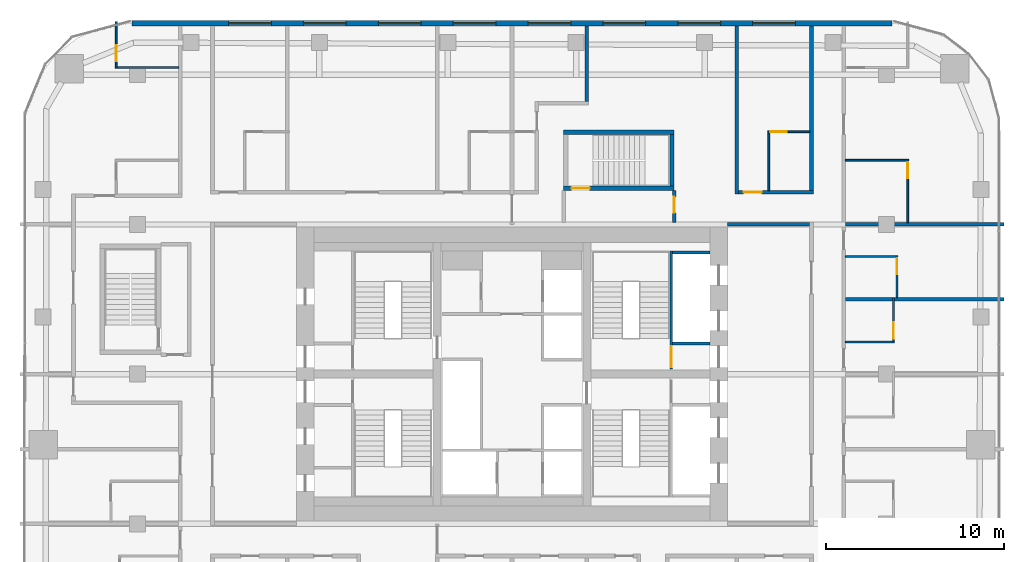
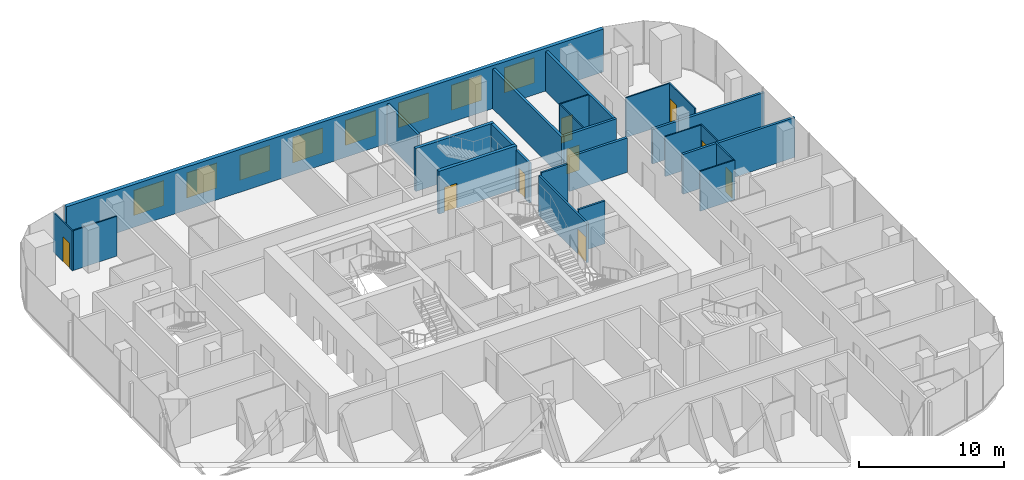
# One storey, part 20 of 23: 25 walls, 9 doors, 8 windows, 17 openings.
"""IFC4 building model written with IfcOpenShell, lengths in metres."""

from ifc_helpers import new_model, si_unit, direction, frame, frame_2d, origin, place, context, subcontext, project, spatial, rectangle, extrude, material, layer, layer_set, type_object, element, fill, save


model = new_model("IFC4")

# Units and contexts
model_context = context("Model", 3, precision=1e-05, world=origin(), true_north=direction((0.0, 1.0)))
body_context = subcontext(model_context, "Body", "Model", "MODEL_VIEW")
ifc_project = project(units=[si_unit("LENGTHUNIT", "METRE"), si_unit("AREAUNIT", "SQUARE_METRE"), si_unit("VOLUMEUNIT", "CUBIC_METRE"), si_unit("PLANEANGLEUNIT", "RADIAN"), si_unit("MASSUNIT", "GRAM", prefix="KILO")], contexts=[model_context])

# Site, building, storey
site_placement = place(None, origin())
site = spatial("IfcSite", under=ifc_project, at=site_placement, CompositionType="ELEMENT")
building_placement = place(site_placement, origin())
building = spatial("IfcBuilding", under=site, at=building_placement, Name="Marenta Gate Hotel Tower", CompositionType="ELEMENT")
storey_placement = place(building_placement, frame((0.0, 0.0, 140.89990234375)))
storey = spatial("IfcBuildingStorey", under=building, at=storey_placement, Name="L32", CompositionType="ELEMENT", Elevation=140.89990234375)

# Wall, openings, windows
ifc_material_1 = material(Name="Concrete C40 board-marked", Category="concrete")
ifc_layer_1 = layer(ifc_material_1, 0.300048828125)
ifc_layer_set_1 = layer_set([ifc_layer_1], Name="Concrete C40 board-marked")
wall_type_1 = type_object("IfcWallType", Name="Board-marked concrete wall 300 mm", PredefinedType="NOTDEFINED", material=ifc_layer_set_1)
wall_1_placement = place(storey_placement, frame((21.305908203125, 28.090087890625, 0.0), z_axis=(0.0, 0.0, 1.0), x_axis=(-1.0, 0.0, 0.0)))
wall_1 = element("IfcWall", 1, at=wall_1_placement, inside=storey, type_object=wall_type_1, Name="L32-CLD-N00", PredefinedType="NOTDEFINED", context=body_context, shape_type="SweptSolid", body=[
    extrude(rectangle(XDim=42.61181640625, YDim=0.300048828125, at=frame_2d((21.305908203125, 0.0))), origin(), (0.0, 0.0, 1.0), 3.60009765625),
])
opening_1_placement = place(wall_1_placement, frame((5.406005859375, 0.0, 0.89990234375)))
opening_1 = element("IfcOpeningElement", 2, at=opening_1_placement, cuts=wall_1, Name="Opening W1", PredefinedType="OPENING", context=body_context, shape_type="SweptSolid", body=[
    extrude(rectangle(XDim=2.39990234375, YDim=2.10009765625, at=frame_2d((1.199951171875, 1.050048828125))), frame((0.0, 0.14990234375, 0.0), z_axis=(0.0, -1.0, 0.0), x_axis=(1.0, 0.0, 0.0)), (0.0, 0.0, 1.0), 0.300048828125),
])
opening_2_placement = place(wall_1_placement, frame((9.60595703125, 0.0, 0.89990234375)))
opening_2 = element("IfcOpeningElement", 3, at=opening_2_placement, cuts=wall_1, Name="Opening W1", PredefinedType="OPENING", context=body_context, shape_type="SweptSolid", body=[
    extrude(rectangle(XDim=2.39990234375, YDim=2.10009765625, at=frame_2d((1.199951171875, 1.050048828125))), frame((0.0, 0.14990234375, 0.0), z_axis=(0.0, -1.0, 0.0), x_axis=(1.0, 0.0, 0.0)), (0.0, 0.0, 1.0), 0.300048828125),
])
opening_3_placement = place(wall_1_placement, frame((13.805908203125, 0.0, 0.89990234375)))
opening_3 = element("IfcOpeningElement", 4, at=opening_3_placement, cuts=wall_1, Name="Opening W1", PredefinedType="OPENING", context=body_context, shape_type="SweptSolid", body=[
    extrude(rectangle(XDim=2.39990234375, YDim=2.10009765625, at=frame_2d((1.199951171875, 1.050048828125))), frame((0.0, 0.14990234375, 0.0), z_axis=(0.0, -1.0, 0.0), x_axis=(1.0, 0.0, 0.0)), (0.0, 0.0, 1.0), 0.300048828125),
])
opening_4_placement = place(wall_1_placement, frame((18.005859375, 0.0, 0.89990234375)))
opening_4 = element("IfcOpeningElement", 5, at=opening_4_placement, cuts=wall_1, Name="Opening W1", PredefinedType="OPENING", context=body_context, shape_type="SweptSolid", body=[
    extrude(rectangle(XDim=2.39990234375, YDim=2.10009765625, at=frame_2d((1.199951171875, 1.050048828125))), frame((0.0, 0.14990234375, 0.0), z_axis=(0.0, -1.0, 0.0), x_axis=(1.0, 0.0, 0.0)), (0.0, 0.0, 1.0), 0.300048828125),
])
opening_5_placement = place(wall_1_placement, frame((22.205810546875, 0.0, 0.89990234375)))
opening_5 = element("IfcOpeningElement", 6, at=opening_5_placement, cuts=wall_1, Name="Opening W1", PredefinedType="OPENING", context=body_context, shape_type="SweptSolid", body=[
    extrude(rectangle(XDim=2.39990234375, YDim=2.10009765625, at=frame_2d((1.199951171875, 1.050048828125))), frame((0.0, 0.14990234375, 0.0), z_axis=(0.0, -1.0, 0.0), x_axis=(1.0, 0.0, 0.0)), (0.0, 0.0, 1.0), 0.300048828125),
])
opening_6_placement = place(wall_1_placement, frame((26.406005859375, 0.0, 0.89990234375)))
opening_6 = element("IfcOpeningElement", 7, at=opening_6_placement, cuts=wall_1, Name="Opening W1", PredefinedType="OPENING", context=body_context, shape_type="SweptSolid", body=[
    extrude(rectangle(XDim=2.39990234375, YDim=2.10009765625, at=frame_2d((1.199951171875, 1.050048828125))), frame((0.0, 0.14990234375, 0.0), z_axis=(0.0, -1.0, 0.0), x_axis=(1.0, 0.0, 0.0)), (0.0, 0.0, 1.0), 0.300048828125),
])
opening_7_placement = place(wall_1_placement, frame((30.60595703125, 0.0, 0.89990234375)))
opening_7 = element("IfcOpeningElement", 8, at=opening_7_placement, cuts=wall_1, Name="Opening W1", PredefinedType="OPENING", context=body_context, shape_type="SweptSolid", body=[
    extrude(rectangle(XDim=2.39990234375, YDim=2.10009765625, at=frame_2d((1.199951171875, 1.050048828125))), frame((0.0, 0.14990234375, 0.0), z_axis=(0.0, -1.0, 0.0), x_axis=(1.0, 0.0, 0.0)), (0.0, 0.0, 1.0), 0.300048828125),
])
opening_8_placement = place(wall_1_placement, frame((34.805908203125, 0.0, 0.89990234375)))
opening_8 = element("IfcOpeningElement", 9, at=opening_8_placement, cuts=wall_1, Name="Opening W1", PredefinedType="OPENING", context=body_context, shape_type="SweptSolid", body=[
    extrude(rectangle(XDim=2.39990234375, YDim=2.10009765625, at=frame_2d((1.199951171875, 1.050048828125))), frame((0.0, 0.14990234375, 0.0), z_axis=(0.0, -1.0, 0.0), x_axis=(1.0, 0.0, 0.0)), (0.0, 0.0, 1.0), 0.300048828125),
])
ifc_material_2 = material(Name="Tinted insulated glass in bronze anodised frame", Category="glass")
window_type = type_object("IfcWindowType", Name="Window W1 2400x2100 bronze frame", PartitioningType="SINGLE_PANEL", PredefinedType="WINDOW", material=ifc_material_2)
window_1_placement = place(opening_1_placement, origin())
window_1 = element("IfcWindow", 10, at=window_1_placement, inside=storey, type_object=window_type, Name="Window W1", OverallHeight=2.10009765625, OverallWidth=2.39990234375, PartitioningType="SINGLE_PANEL", PredefinedType="WINDOW", context=body_context, shape_type="SweptSolid", body=[
    extrude(rectangle(XDim=2.39990234375, YDim=2.10009765625, at=frame_2d((1.199951171875, 1.050048828125))), frame((0.0, 0.030029296875, 0.0), z_axis=(0.0, -1.0, 0.0), x_axis=(1.0, 0.0, 0.0)), (0.0, 0.0, 1.0), 0.06005859375),
])
fill(opening_1, window_1)
window_2_placement = place(opening_2_placement, origin())
window_2 = element("IfcWindow", 11, at=window_2_placement, inside=storey, type_object=window_type, Name="Window W1", OverallHeight=2.10009765625, OverallWidth=2.39990234375, PartitioningType="SINGLE_PANEL", PredefinedType="WINDOW", context=body_context, shape_type="SweptSolid", body=[
    extrude(rectangle(XDim=2.39990234375, YDim=2.10009765625, at=frame_2d((1.199951171875, 1.050048828125))), frame((0.0, 0.030029296875, 0.0), z_axis=(0.0, -1.0, 0.0), x_axis=(1.0, 0.0, 0.0)), (0.0, 0.0, 1.0), 0.06005859375),
])
fill(opening_2, window_2)
window_3_placement = place(opening_3_placement, origin())
window_3 = element("IfcWindow", 12, at=window_3_placement, inside=storey, type_object=window_type, Name="Window W1", OverallHeight=2.10009765625, OverallWidth=2.39990234375, PartitioningType="SINGLE_PANEL", PredefinedType="WINDOW", context=body_context, shape_type="SweptSolid", body=[
    extrude(rectangle(XDim=2.39990234375, YDim=2.10009765625, at=frame_2d((1.199951171875, 1.050048828125))), frame((0.0, 0.030029296875, 0.0), z_axis=(0.0, -1.0, 0.0), x_axis=(1.0, 0.0, 0.0)), (0.0, 0.0, 1.0), 0.06005859375),
])
fill(opening_3, window_3)
window_4_placement = place(opening_4_placement, origin())
window_4 = element("IfcWindow", 13, at=window_4_placement, inside=storey, type_object=window_type, Name="Window W1", OverallHeight=2.10009765625, OverallWidth=2.39990234375, PartitioningType="SINGLE_PANEL", PredefinedType="WINDOW", context=body_context, shape_type="SweptSolid", body=[
    extrude(rectangle(XDim=2.39990234375, YDim=2.10009765625, at=frame_2d((1.199951171875, 1.050048828125))), frame((0.0, 0.030029296875, 0.0), z_axis=(0.0, -1.0, 0.0), x_axis=(1.0, 0.0, 0.0)), (0.0, 0.0, 1.0), 0.06005859375),
])
fill(opening_4, window_4)
window_5_placement = place(opening_5_placement, origin())
window_5 = element("IfcWindow", 14, at=window_5_placement, inside=storey, type_object=window_type, Name="Window W1", OverallHeight=2.10009765625, OverallWidth=2.39990234375, PartitioningType="SINGLE_PANEL", PredefinedType="WINDOW", context=body_context, shape_type="SweptSolid", body=[
    extrude(rectangle(XDim=2.39990234375, YDim=2.10009765625, at=frame_2d((1.199951171875, 1.050048828125))), frame((0.0, 0.030029296875, 0.0), z_axis=(0.0, -1.0, 0.0), x_axis=(1.0, 0.0, 0.0)), (0.0, 0.0, 1.0), 0.06005859375),
])
fill(opening_5, window_5)
window_6_placement = place(opening_6_placement, origin())
window_6 = element("IfcWindow", 15, at=window_6_placement, inside=storey, type_object=window_type, Name="Window W1", OverallHeight=2.10009765625, OverallWidth=2.39990234375, PartitioningType="SINGLE_PANEL", PredefinedType="WINDOW", context=body_context, shape_type="SweptSolid", body=[
    extrude(rectangle(XDim=2.39990234375, YDim=2.10009765625, at=frame_2d((1.199951171875, 1.050048828125))), frame((0.0, 0.030029296875, 0.0), z_axis=(0.0, -1.0, 0.0), x_axis=(1.0, 0.0, 0.0)), (0.0, 0.0, 1.0), 0.06005859375),
])
fill(opening_6, window_6)
window_7_placement = place(opening_7_placement, origin())
window_7 = element("IfcWindow", 16, at=window_7_placement, inside=storey, type_object=window_type, Name="Window W1", OverallHeight=2.10009765625, OverallWidth=2.39990234375, PartitioningType="SINGLE_PANEL", PredefinedType="WINDOW", context=body_context, shape_type="SweptSolid", body=[
    extrude(rectangle(XDim=2.39990234375, YDim=2.10009765625, at=frame_2d((1.199951171875, 1.050048828125))), frame((0.0, 0.030029296875, 0.0), z_axis=(0.0, -1.0, 0.0), x_axis=(1.0, 0.0, 0.0)), (0.0, 0.0, 1.0), 0.06005859375),
])
fill(opening_7, window_7)
window_8_placement = place(opening_8_placement, origin())
window_8 = element("IfcWindow", 17, at=window_8_placement, inside=storey, type_object=window_type, Name="Window W1", OverallHeight=2.10009765625, OverallWidth=2.39990234375, PartitioningType="SINGLE_PANEL", PredefinedType="WINDOW", context=body_context, shape_type="SweptSolid", body=[
    extrude(rectangle(XDim=2.39990234375, YDim=2.10009765625, at=frame_2d((1.199951171875, 1.050048828125))), frame((0.0, 0.030029296875, 0.0), z_axis=(0.0, -1.0, 0.0), x_axis=(1.0, 0.0, 0.0)), (0.0, 0.0, 1.0), 0.06005859375),
])
fill(opening_8, window_8)

# Walls
ifc_material_3 = material(Name="Concrete blockwork", Category="masonry")
ifc_layer_2 = layer(ifc_material_3, 0.199951171875)
ifc_layer_set_2 = layer_set([ifc_layer_2], Name="Concrete blockwork")
wall_type_2 = type_object("IfcWallType", Name="Core boundary wall 200 REI 180", PredefinedType="PARTITIONING", material=ifc_layer_set_2)
wall_2_placement = place(storey_placement, frame((12.10009765625, 16.800048828125, 0.0), z_axis=(0.0, 0.0, 1.0), x_axis=(1.0, 0.0, 0.0)))
element("IfcWall", 18, at=wall_2_placement, inside=storey, type_object=wall_type_2, Name="L32-CP-EW-EN", PredefinedType="PARTITIONING", context=body_context, shape_type="SweptSolid", body=[
    extrude(rectangle(XDim=4.599853515625, YDim=0.199951171875, at=frame_2d((2.2998046875, 0.0))), origin(), (0.0, 0.0, 1.0), 2.89013671875),
])
ifc_material_4 = material(Name="Concrete C40", Category="concrete")
ifc_layer_3 = layer(ifc_material_4, 0.14990234375)
ifc_layer_set_3 = layer_set([ifc_layer_3], Name="Concrete C40")
wall_type_3 = type_object("IfcWallType", Name="Core shaft wall 150 REI 180", PredefinedType="SHEAR", material=ifc_layer_set_3)
for number, where, z_axis, x_axis, name in (
    (19, (9.0, 10.125, 0.0), (0.0, 0.0, 1.0), (1.0, 0.0, 0.0), "L32-SHF-SW-EN-2"),
    (20, (9.0, 15.22509765625, 0.0), (0.0, 0.0, 1.0), (1.0, 0.0, 0.0), "L32-SHF-SW-EN-5"),
):
    element("IfcWall", number, at=place(storey_placement, frame(where, z_axis=z_axis, x_axis=x_axis)), inside=storey, type_object=wall_type_3, Name=name, PredefinedType="SHEAR", context=body_context, shape_type="SweptSolid", body=[
        extrude(rectangle(XDim=2.10009765625, YDim=0.14990234375, at=frame_2d((1.050048828125, 0.0))), origin(), (0.0, 0.0, 1.0), 3.60009765625),
    ])

# Wall, opening, door
ifc_material_5 = material(Name="Concrete C40", Category="concrete")
ifc_layer_4 = layer(ifc_material_5, 0.14990234375)
ifc_layer_set_4 = layer_set([ifc_layer_4], Name="Concrete C40")
wall_type_4 = type_object("IfcWallType", Name="Core stair enclosure wall 150 REI 180", PredefinedType="SHEAR", material=ifc_layer_set_4)
wall_3_placement = place(storey_placement, frame((8.925048828125, 8.699951171875, 0.0), z_axis=(0.0, 0.0, 1.0), x_axis=(0.0, 1.0, 0.0)))
wall_3 = element("IfcWall", 21, at=wall_3_placement, inside=storey, type_object=wall_type_4, Name="L32-SHF-SW-EN-3", PredefinedType="SHEAR", context=body_context, shape_type="SweptSolid", body=[
    extrude(rectangle(XDim=6.60009765625, YDim=0.14990234375, at=frame_2d((3.300048828125, 0.0))), origin(), (0.0, 0.0, 1.0), 3.340087890625),
])
opening_9_placement = place(wall_3_placement, frame((0.074951171875, 0.0, 0.0)))
opening_9 = element("IfcOpeningElement", 22, at=opening_9_placement, cuts=wall_3, Name="Opening SD-EN", PredefinedType="OPENING", context=body_context, shape_type="SweptSolid", body=[
    extrude(rectangle(XDim=1.199951171875, YDim=2.10009765625, at=frame_2d((0.60009765625, 1.050048828125))), frame((0.0, 0.074951171875, 0.0), z_axis=(0.0, -1.0, 0.0), x_axis=(1.0, 0.0, 0.0)), (0.0, 0.0, 1.0), 0.14990234375),
])
ifc_material_6 = material(Name="Steel", Category="steel")
door_type_1 = type_object("IfcDoorType", Name="Core stair door 1200x2100 FD60", OperationType="SINGLE_SWING_LEFT", PredefinedType="DOOR", material=ifc_material_6)
door_1_placement = place(opening_9_placement, origin())
door_1 = element("IfcDoor", 23, at=door_1_placement, inside=storey, type_object=door_type_1, Name="SD-EN", OperationType="SINGLE_SWING_LEFT", OverallHeight=2.10009765625, OverallWidth=1.199951171875, PredefinedType="DOOR", context=body_context, shape_type="SweptSolid", body=[
    extrude(rectangle(XDim=1.199951171875, YDim=2.10009765625, at=frame_2d((0.60009765625, 1.050048828125))), frame((0.0, 0.02490234375, 0.0), z_axis=(0.0, -1.0, 0.0), x_axis=(1.0, 0.0, 0.0)), (0.0, 0.0, 1.0), 0.050048828125),
])
fill(opening_9, door_1)

ifc_material_7 = material(Name="Concrete C40", Category="concrete")
ifc_layer_5 = layer(ifc_material_7, 0.25)
ifc_layer_set_5 = layer_set([ifc_layer_5], Name="Concrete C40")
wall_type_5 = type_object("IfcWallType", Name="Remote stair enclosure wall 250 REI 180", PredefinedType="SHEAR", material=ifc_layer_set_5)
wall_4_placement = place(storey_placement, frame((2.89990234375, 18.824951171875, 0.10009765625), z_axis=(0.0, 0.0, 1.0), x_axis=(1.0, 0.0, 0.0)))
wall_4 = element("IfcWall", 24, at=wall_4_placement, inside=storey, type_object=wall_type_5, Name="L32-RS-Z2-4-W1", PredefinedType="SHEAR", context=body_context, shape_type="SweptSolid", body=[
    extrude(rectangle(XDim=6.2001953125, YDim=0.25, at=frame_2d((3.10009765625, 0.0))), origin(), (0.0, 0.0, 1.0), 3.60009765625),
])
opening_10_placement = place(wall_4_placement, frame((0.449951171875, 0.0, 0.0)))
opening_10 = element("IfcOpeningElement", 25, at=opening_10_placement, cuts=wall_4, Name="Opening VD", PredefinedType="OPENING", context=body_context, shape_type="SweptSolid", body=[
    extrude(rectangle(XDim=1.0, YDim=2.10009765625, at=frame_2d((0.5, 1.050048828125))), frame((0.0, 0.125, 0.0), z_axis=(0.0, -1.0, 0.0), x_axis=(1.0, 0.0, 0.0)), (0.0, 0.0, 1.0), 0.25),
])
ifc_material_8 = material(Name="Steel", Category="steel")
door_type_2 = type_object("IfcDoorType", Name="Stair vestibule door 1000x2100 FD60", OperationType="SINGLE_SWING_LEFT", PredefinedType="DOOR", material=ifc_material_8)
door_2_placement = place(opening_10_placement, origin())
door_2 = element("IfcDoor", 26, at=door_2_placement, inside=storey, type_object=door_type_2, Name="VD", OperationType="SINGLE_SWING_LEFT", OverallHeight=2.10009765625, OverallWidth=1.0, PredefinedType="DOOR", context=body_context, shape_type="SweptSolid", body=[
    extrude(rectangle(XDim=1.0, YDim=2.10009765625, at=frame_2d((0.5, 1.050048828125))), frame((0.0, 0.02490234375, 0.0), z_axis=(0.0, -1.0, 0.0), x_axis=(1.0, 0.0, 0.0)), (0.0, 0.0, 1.0), 0.050048828125),
])
fill(opening_10, door_2)

# Walls
wall_5_placement = place(storey_placement, frame((2.89990234375, 21.97509765625, 0.10009765625), z_axis=(0.0, 0.0, 1.0), x_axis=(1.0, 0.0, 0.0)))
element("IfcWall", 27, at=wall_5_placement, inside=storey, type_object=wall_type_5, Name="L32-RS-Z2-4-W2", PredefinedType="SHEAR", context=body_context, shape_type="SweptSolid", body=[
    extrude(rectangle(XDim=6.2001953125, YDim=0.25, at=frame_2d((3.10009765625, 0.0))), origin(), (0.0, 0.0, 1.0), 3.60009765625),
])
wall_6_placement = place(storey_placement, frame((8.97509765625, 18.949951171875, 0.10009765625), z_axis=(0.0, 0.0, 1.0), x_axis=(0.0, 1.0, 0.0)))
element("IfcWall", 28, at=wall_6_placement, inside=storey, type_object=wall_type_5, Name="L32-RS-Z2-4-W4", PredefinedType="SHEAR", context=body_context, shape_type="SweptSolid", body=[
    extrude(rectangle(XDim=2.900146484375, YDim=0.25, at=frame_2d((1.4501953125, 0.0))), origin(), (0.0, 0.0, 1.0), 3.60009765625),
])
ifc_material_9 = material(Name="Gypsum board on steel stud", Category="steel")
ifc_layer_6 = layer(ifc_material_9, 0.199951171875)
ifc_layer_set_6 = layer_set([ifc_layer_6], Name="Gypsum board on steel stud")
wall_type_6 = type_object("IfcWallType", Name="Room corridor wall 200 EI 60", PredefinedType="PARTITIONING", material=ifc_layer_set_6)
wall_7_placement = place(storey_placement, frame((16.800048828125, 18.699951171875, 0.0), z_axis=(0.0, 0.0, 1.0), x_axis=(0.0, 1.0, 0.0)))
element("IfcWall", 29, at=wall_7_placement, inside=storey, type_object=wall_type_6, Name="L32-PTN-W019", PredefinedType="PARTITIONING", context=body_context, shape_type="SweptSolid", body=[
    extrude(rectangle(XDim=9.239990234375, YDim=0.199951171875, at=frame_2d((4.6201171875, 0.0))), origin(), (0.0, 0.0, 1.0), 3.340087890625),
])
wall_8_placement = place(storey_placement, frame((12.60009765625, 18.5, 0.0), z_axis=(0.0, 0.0, 1.0), x_axis=(0.0, 1.0, 0.0)))
element("IfcWall", 30, at=wall_8_placement, inside=storey, type_object=wall_type_6, Name="L32-PTN-W035", PredefinedType="PARTITIONING", context=body_context, shape_type="SweptSolid", body=[
    extrude(rectangle(XDim=9.43994140625, YDim=0.199951171875, at=frame_2d((4.719970703125, 0.0))), origin(), (0.0, 0.0, 1.0), 3.340087890625),
])
wall_9_placement = place(storey_placement, frame((4.199951171875, 23.699951171875, 0.0), z_axis=(0.0, 0.0, 1.0), x_axis=(0.0, 1.0, 0.0)))
element("IfcWall", 31, at=wall_9_placement, inside=storey, type_object=wall_type_6, Name="L32-PTN-W062", PredefinedType="PARTITIONING", context=body_context, shape_type="SweptSolid", body=[
    extrude(rectangle(XDim=4.239990234375, YDim=0.199951171875, at=frame_2d((2.1201171875, 0.0))), origin(), (0.0, 0.0, 1.0), 3.340087890625),
])

# Wall, opening, door
wall_10_placement = place(storey_placement, frame((12.699951171875, 18.60009765625, 0.0), z_axis=(0.0, 0.0, 1.0), x_axis=(1.0, 0.0, 0.0)))
wall_10 = element("IfcWall", 32, at=wall_10_placement, inside=storey, type_object=wall_type_6, Name="L32-PTN-W113", PredefinedType="PARTITIONING", context=body_context, shape_type="SweptSolid", body=[
    extrude(rectangle(XDim=4.199951171875, YDim=0.199951171875, at=frame_2d((2.10009765625, 0.0))), origin(), (0.0, 0.0, 1.0), 3.340087890625),
])
opening_11_placement = place(wall_10_placement, frame((0.300048828125, 0.0, 0.0)))
opening_11 = element("IfcOpeningElement", 33, at=opening_11_placement, cuts=wall_10, Name="Opening G12-36", PredefinedType="OPENING", context=body_context, shape_type="SweptSolid", body=[
    extrude(rectangle(XDim=1.0, YDim=2.10009765625, at=frame_2d((0.5, 1.050048828125))), frame((0.0, 0.10009765625, 0.0), z_axis=(0.0, -1.0, 0.0), x_axis=(1.0, 0.0, 0.0)), (0.0, 0.0, 1.0), 0.199951171875),
])
ifc_material_10 = material(Name="Timber door leaf", Category="wood")
door_type_3 = type_object("IfcDoorType", Name="Guest room door 1000x2100 EI 30", OperationType="NOTDEFINED", PredefinedType="DOOR", material=ifc_material_10)
door_3_placement = place(opening_11_placement, origin())
door_3 = element("IfcDoor", 34, at=door_3_placement, inside=storey, type_object=door_type_3, Name="L32-PD-D036", OperationType="SINGLE_SWING_LEFT", OverallHeight=2.10009765625, OverallWidth=1.0, PredefinedType="DOOR", context=body_context, shape_type="SweptSolid", body=[
    extrude(rectangle(XDim=1.0, YDim=2.10009765625, at=frame_2d((0.5, 1.050048828125))), frame((0.0, 0.02490234375, 0.0), z_axis=(0.0, -1.0, 0.0), x_axis=(1.0, 0.0, 0.0)), (0.0, 0.0, 1.0), 0.050048828125),
])
fill(opening_11, door_3)

ifc_material_11 = material(Name="Concrete blockwork", Category="masonry")
ifc_layer_7 = layer(ifc_material_11, 0.199951171875)
ifc_layer_set_7 = layer_set([ifc_layer_7], Name="Concrete blockwork")
wall_type_7 = type_object("IfcWallType", Name="Room corridor wall 200 REI 180", PredefinedType="PARTITIONING", material=ifc_layer_set_7)
wall_11_placement = place(storey_placement, frame((9.10009765625, 16.89990234375, 0.0), z_axis=(0.0, 0.0, 1.0), x_axis=(0.0, 1.0, 0.0)))
wall_11 = element("IfcWall", 35, at=wall_11_placement, inside=storey, type_object=wall_type_7, Name="L32-PTN-W042", PredefinedType="PARTITIONING", context=body_context, shape_type="SweptSolid", body=[
    extrude(rectangle(XDim=1.800048828125, YDim=0.199951171875, at=frame_2d((0.89990234375, 0.0))), origin(), (0.0, 0.0, 1.0), 3.340087890625),
])
opening_12_placement = place(wall_11_placement, frame((0.550048828125, 0.0, 0.0)))
opening_12 = element("IfcOpeningElement", 36, at=opening_12_placement, cuts=wall_11, Name="Opening G12-68", PredefinedType="OPENING", context=body_context, shape_type="SweptSolid", body=[
    extrude(rectangle(XDim=0.89990234375, YDim=2.10009765625, at=frame_2d((0.449951171875, 1.050048828125))), frame((0.0, 0.10009765625, 0.0), z_axis=(0.0, -1.0, 0.0), x_axis=(1.0, 0.0, 0.0)), (0.0, 0.0, 1.0), 0.199951171875),
])
ifc_material_12 = material(Name="Hollow steel door set", Category="steel")
door_type_4 = type_object("IfcDoorType", Name="Stair vestibule door 900x2100 EI 60", OperationType="NOTDEFINED", PredefinedType="DOOR", material=ifc_material_12)
door_4_placement = place(opening_12_placement, origin())
door_4 = element("IfcDoor", 37, at=door_4_placement, inside=storey, type_object=door_type_4, Name="L32-PD-D068", OperationType="SINGLE_SWING_RIGHT", OverallHeight=2.10009765625, OverallWidth=0.89990234375, PredefinedType="DOOR", context=body_context, shape_type="SweptSolid", body=[
    extrude(rectangle(XDim=0.89990234375, YDim=2.10009765625, at=frame_2d((0.449951171875, 1.050048828125))), frame((0.0, 0.02490234375, 0.0), z_axis=(0.0, -1.0, 0.0), x_axis=(1.0, 0.0, 0.0)), (0.0, 0.0, 1.0), 0.050048828125),
])
fill(opening_12, door_4)

ifc_material_13 = material(Name="Gypsum board on steel stud", Category="steel")
ifc_layer_8 = layer(ifc_material_13, 0.10009765625)
ifc_layer_set_8 = layer_set([ifc_layer_8], Name="Gypsum board on steel stud")
wall_type_8 = type_object("IfcWallType", Name="Room partition 100", PredefinedType="PARTITIONING", material=ifc_layer_set_8)
wall_12_placement = place(storey_placement, frame((22.199951171875, 16.89990234375, 0.0), z_axis=(0.0, 0.0, 1.0), x_axis=(0.0, 1.0, 0.0)))
wall_12 = element("IfcWall", 38, at=wall_12_placement, inside=storey, type_object=wall_type_8, Name="L32-PTN-W001", PredefinedType="PARTITIONING", context=body_context, shape_type="SweptSolid", body=[
    extrude(rectangle(XDim=3.550048828125, YDim=0.10009765625, at=frame_2d((1.77490234375, 0.0))), origin(), (0.0, 0.0, 1.0), 3.340087890625),
])
opening_13_placement = place(wall_12_placement, frame((2.5, 0.0, 0.0)))
opening_13 = element("IfcOpeningElement", 39, at=opening_13_placement, cuts=wall_12, Name="Opening G12-27", PredefinedType="OPENING", context=body_context, shape_type="SweptSolid", body=[
    extrude(rectangle(XDim=0.89990234375, YDim=2.10009765625, at=frame_2d((0.449951171875, 1.050048828125))), frame((0.0, 0.050048828125, 0.0), z_axis=(0.0, -1.0, 0.0), x_axis=(1.0, 0.0, 0.0)), (0.0, 0.0, 1.0), 0.10009765625),
])
ifc_material_14 = material(Name="Timber door leaf", Category="wood")
door_type_5 = type_object("IfcDoorType", Name="Guest bathroom door 900x2100", OperationType="NOTDEFINED", PredefinedType="DOOR", material=ifc_material_14)
door_5_placement = place(opening_13_placement, origin())
door_5 = element("IfcDoor", 40, at=door_5_placement, inside=storey, type_object=door_type_5, Name="L32-PD-D027", OperationType="SINGLE_SWING_RIGHT", OverallHeight=2.10009765625, OverallWidth=0.89990234375, PredefinedType="DOOR", context=body_context, shape_type="SweptSolid", body=[
    extrude(rectangle(XDim=0.89990234375, YDim=2.10009765625, at=frame_2d((0.449951171875, 1.050048828125))), frame((0.0, 0.02490234375, 0.0), z_axis=(0.0, -1.0, 0.0), x_axis=(1.0, 0.0, 0.0)), (0.0, 0.0, 1.0), 0.050048828125),
])
fill(opening_13, door_5)

wall_13_placement = place(storey_placement, frame((21.60009765625, 12.699951171875, 0.0), z_axis=(0.0, 0.0, 1.0), x_axis=(0.0, 1.0, 0.0)))
wall_13 = element("IfcWall", 41, at=wall_13_placement, inside=storey, type_object=wall_type_8, Name="L32-PTN-W007", PredefinedType="PARTITIONING", context=body_context, shape_type="SweptSolid", body=[
    extrude(rectangle(XDim=2.35009765625, YDim=0.10009765625, at=frame_2d((1.175048828125, 0.0))), origin(), (0.0, 0.0, 1.0), 3.340087890625),
])
opening_14_placement = place(wall_13_placement, frame((1.300048828125, 0.0, 0.0)))
opening_14 = element("IfcOpeningElement", 42, at=opening_14_placement, cuts=wall_13, Name="Opening G12-25", PredefinedType="OPENING", context=body_context, shape_type="SweptSolid", body=[
    extrude(rectangle(XDim=0.89990234375, YDim=2.10009765625, at=frame_2d((0.449951171875, 1.050048828125))), frame((0.0, 0.050048828125, 0.0), z_axis=(0.0, -1.0, 0.0), x_axis=(1.0, 0.0, 0.0)), (0.0, 0.0, 1.0), 0.10009765625),
])
door_6_placement = place(opening_14_placement, origin())
door_6 = element("IfcDoor", 43, at=door_6_placement, inside=storey, type_object=door_type_5, Name="L32-PD-D025", OperationType="SINGLE_SWING_RIGHT", OverallHeight=2.10009765625, OverallWidth=0.89990234375, PredefinedType="DOOR", context=body_context, shape_type="SweptSolid", body=[
    extrude(rectangle(XDim=0.89990234375, YDim=2.10009765625, at=frame_2d((0.449951171875, 1.050048828125))), frame((0.0, 0.02490234375, 0.0), z_axis=(0.0, -1.0, 0.0), x_axis=(1.0, 0.0, 0.0)), (0.0, 0.0, 1.0), 0.050048828125),
])
fill(opening_14, door_6)

wall_14_placement = place(storey_placement, frame((21.39990234375, 10.25, 0.0), z_axis=(0.0, 0.0, 1.0), x_axis=(0.0, 1.0, 0.0)))
wall_14 = element("IfcWall", 44, at=wall_14_placement, inside=storey, type_object=wall_type_8, Name="L32-PTN-W011", PredefinedType="PARTITIONING", context=body_context, shape_type="SweptSolid", body=[
    extrude(rectangle(XDim=2.449951171875, YDim=0.10009765625, at=frame_2d((1.22509765625, 0.0))), origin(), (0.0, 0.0, 1.0), 3.340087890625),
])
opening_15_placement = place(wall_14_placement, frame((0.14990234375, 0.0, 0.0)))
opening_15 = element("IfcOpeningElement", 45, at=opening_15_placement, cuts=wall_14, Name="Opening G12-23", PredefinedType="OPENING", context=body_context, shape_type="SweptSolid", body=[
    extrude(rectangle(XDim=0.89990234375, YDim=2.10009765625, at=frame_2d((0.449951171875, 1.050048828125))), frame((0.0, 0.050048828125, 0.0), z_axis=(0.0, -1.0, 0.0), x_axis=(1.0, 0.0, 0.0)), (0.0, 0.0, 1.0), 0.10009765625),
])
door_7_placement = place(opening_15_placement, origin())
door_7 = element("IfcDoor", 46, at=door_7_placement, inside=storey, type_object=door_type_5, Name="L32-PD-D023", OperationType="SINGLE_SWING_LEFT", OverallHeight=2.10009765625, OverallWidth=0.89990234375, PredefinedType="DOOR", context=body_context, shape_type="SweptSolid", body=[
    extrude(rectangle(XDim=0.89990234375, YDim=2.10009765625, at=frame_2d((0.449951171875, 1.050048828125))), frame((0.0, 0.02490234375, 0.0), z_axis=(0.0, -1.0, 0.0), x_axis=(1.0, 0.0, 0.0)), (0.0, 0.0, 1.0), 0.050048828125),
])
fill(opening_15, door_7)

# Walls
wall_15_placement = place(storey_placement, frame((14.39990234375, 18.699951171875, 0.0), z_axis=(0.0, 0.0, 1.0), x_axis=(0.0, 1.0, 0.0)))
element("IfcWall", 47, at=wall_15_placement, inside=storey, type_object=wall_type_8, Name="L32-PTN-W026", PredefinedType="PARTITIONING", context=body_context, shape_type="SweptSolid", body=[
    extrude(rectangle(XDim=3.25, YDim=0.10009765625, at=frame_2d((1.625, 0.0))), origin(), (0.0, 0.0, 1.0), 3.340087890625),
])
wall_16_placement = place(storey_placement, frame((18.699951171875, 10.199951171875, 0.0), z_axis=(0.0, 0.0, 1.0), x_axis=(1.0, 0.0, 0.0)))
element("IfcWall", 48, at=wall_16_placement, inside=storey, type_object=wall_type_8, Name="L32-PTN-W094", PredefinedType="PARTITIONING", context=body_context, shape_type="SweptSolid", body=[
    extrude(rectangle(XDim=2.75, YDim=0.10009765625, at=frame_2d((1.375, 0.0))), origin(), (0.0, 0.0, 1.0), 3.340087890625),
])
wall_17_placement = place(storey_placement, frame((18.699951171875, 15.0, 0.0), z_axis=(0.0, 0.0, 1.0), x_axis=(1.0, 0.0, 0.0)))
element("IfcWall", 49, at=wall_17_placement, inside=storey, type_object=wall_type_8, Name="L32-PTN-W101", PredefinedType="PARTITIONING", context=body_context, shape_type="SweptSolid", body=[
    extrude(rectangle(XDim=2.85009765625, YDim=0.10009765625, at=frame_2d((1.425048828125, 0.0))), origin(), (0.0, 0.0, 1.0), 3.340087890625),
])
wall_18_placement = place(storey_placement, frame((18.699951171875, 20.39990234375, 0.0), z_axis=(0.0, 0.0, 1.0), x_axis=(1.0, 0.0, 0.0)))
element("IfcWall", 50, at=wall_18_placement, inside=storey, type_object=wall_type_8, Name="L32-PTN-W115", PredefinedType="PARTITIONING", context=body_context, shape_type="SweptSolid", body=[
    extrude(rectangle(XDim=3.449951171875, YDim=0.10009765625, at=frame_2d((1.72509765625, 0.0))), origin(), (0.0, 0.0, 1.0), 3.340087890625),
])

# Wall, opening, door
wall_19_placement = place(storey_placement, frame((14.35009765625, 22.0, 0.0), z_axis=(0.0, 0.0, 1.0), x_axis=(1.0, 0.0, 0.0)))
wall_19 = element("IfcWall", 51, at=wall_19_placement, inside=storey, type_object=wall_type_8, Name="L32-PTN-W120", PredefinedType="PARTITIONING", context=body_context, shape_type="SweptSolid", body=[
    extrude(rectangle(XDim=2.349853515625, YDim=0.10009765625, at=frame_2d((1.1748046875, 0.0))), origin(), (0.0, 0.0, 1.0), 3.340087890625),
])
opening_16_placement = place(wall_19_placement, frame((0.14990234375, 0.0, 0.0)))
opening_16 = element("IfcOpeningElement", 52, at=opening_16_placement, cuts=wall_19, Name="Opening G12-37", PredefinedType="OPENING", context=body_context, shape_type="SweptSolid", body=[
    extrude(rectangle(XDim=0.89990234375, YDim=2.10009765625, at=frame_2d((0.449951171875, 1.050048828125))), frame((0.0, 0.050048828125, 0.0), z_axis=(0.0, -1.0, 0.0), x_axis=(1.0, 0.0, 0.0)), (0.0, 0.0, 1.0), 0.10009765625),
])
door_8_placement = place(opening_16_placement, origin())
door_8 = element("IfcDoor", 53, at=door_8_placement, inside=storey, type_object=door_type_5, Name="L32-PD-D037", OperationType="SINGLE_SWING_RIGHT", OverallHeight=2.10009765625, OverallWidth=0.89990234375, PredefinedType="DOOR", context=body_context, shape_type="SweptSolid", body=[
    extrude(rectangle(XDim=0.89990234375, YDim=2.10009765625, at=frame_2d((0.449951171875, 1.050048828125))), frame((0.0, 0.02490234375, 0.0), z_axis=(0.0, -1.0, 0.0), x_axis=(1.0, 0.0, 0.0)), (0.0, 0.0, 1.0), 0.050048828125),
])
fill(opening_16, door_8)

wall_20_placement = place(storey_placement, frame((-22.199951171875, 25.550048828125, 0.0), z_axis=(0.0, 0.0, 1.0), x_axis=(0.0, 1.0, 0.0)))
wall_20 = element("IfcWall", 54, at=wall_20_placement, inside=storey, type_object=wall_type_8, Name="L32-PTN-W124", PredefinedType="PARTITIONING", context=body_context, shape_type="SweptSolid", body=[
    extrude(rectangle(XDim=2.6318359375, YDim=0.10009765625, at=frame_2d((1.31591796875, 0.0))), origin(), (0.0, 0.0, 1.0), 3.340087890625),
])
opening_17_placement = place(wall_20_placement, frame((0.39990234375, 0.0, 0.0)))
opening_17 = element("IfcOpeningElement", 55, at=opening_17_placement, cuts=wall_20, Name="Opening G12-64", PredefinedType="OPENING", context=body_context, shape_type="SweptSolid", body=[
    extrude(rectangle(XDim=0.89990234375, YDim=2.10009765625, at=frame_2d((0.449951171875, 1.050048828125))), frame((0.0, 0.050048828125, 0.0), z_axis=(0.0, -1.0, 0.0), x_axis=(1.0, 0.0, 0.0)), (0.0, 0.0, 1.0), 0.10009765625),
])
ifc_material_15 = material(Name="Timber door leaf", Category="wood")
door_type_6 = type_object("IfcDoorType", Name="Room inner door 900x2100", OperationType="NOTDEFINED", PredefinedType="DOOR", material=ifc_material_15)
door_9_placement = place(opening_17_placement, origin())
door_9 = element("IfcDoor", 56, at=door_9_placement, inside=storey, type_object=door_type_6, Name="L32-PD-D064", OperationType="SINGLE_SWING_RIGHT", OverallHeight=2.10009765625, OverallWidth=0.89990234375, PredefinedType="DOOR", context=body_context, shape_type="SweptSolid", body=[
    extrude(rectangle(XDim=0.89990234375, YDim=2.10009765625, at=frame_2d((0.449951171875, 1.050048828125))), frame((0.0, 0.02490234375, 0.0), z_axis=(0.0, -1.0, 0.0), x_axis=(1.0, 0.0, 0.0)), (0.0, 0.0, 1.0), 0.050048828125),
])
fill(opening_17, door_9)

# Walls
wall_21_placement = place(storey_placement, frame((-22.14990234375, 25.60009765625, 0.0), z_axis=(0.0, 0.0, 1.0), x_axis=(1.0, 0.0, 0.0)))
element("IfcWall", 57, at=wall_21_placement, inside=storey, type_object=wall_type_8, Name="L32-PTN-W129", PredefinedType="PARTITIONING", context=body_context, shape_type="SweptSolid", body=[
    extrude(rectangle(XDim=3.449951171875, YDim=0.10009765625, at=frame_2d((1.72509765625, 0.0))), origin(), (0.0, 0.0, 1.0), 3.340087890625),
])
ifc_material_16 = material(Name="Gypsum board on steel stud", Category="steel")
ifc_layer_9 = layer(ifc_material_16, 0.199951171875)
ifc_layer_set_9 = layer_set([ifc_layer_9], Name="Gypsum board on steel stud")
wall_type_9 = type_object("IfcWallType", Name="Room party wall 200 EI 60", PredefinedType="PARTITIONING", material=ifc_layer_set_9)
wall_22_placement = place(storey_placement, frame((18.699951171875, 12.60009765625, 0.0), z_axis=(0.0, 0.0, 1.0), x_axis=(1.0, 0.0, 0.0)))
element("IfcWall", 58, at=wall_22_placement, inside=storey, type_object=wall_type_9, Name="L32-PTN-W099", PredefinedType="PARTITIONING", context=body_context, shape_type="SweptSolid", body=[
    extrude(rectangle(XDim=8.900146484375, YDim=0.199951171875, at=frame_2d((4.4501953125, 0.0))), origin(), (0.0, 0.0, 1.0), 3.340087890625),
])
wall_23_placement = place(storey_placement, frame((18.699951171875, 16.800048828125, 0.0), z_axis=(0.0, 0.0, 1.0), x_axis=(1.0, 0.0, 0.0)))
element("IfcWall", 59, at=wall_23_placement, inside=storey, type_object=wall_type_9, Name="L32-PTN-W107", PredefinedType="PARTITIONING", context=body_context, shape_type="SweptSolid", body=[
    extrude(rectangle(XDim=8.900146484375, YDim=0.199951171875, at=frame_2d((4.4501953125, 0.0))), origin(), (0.0, 0.0, 1.0), 2.89013671875),
])

save(model, "model.ifc")
